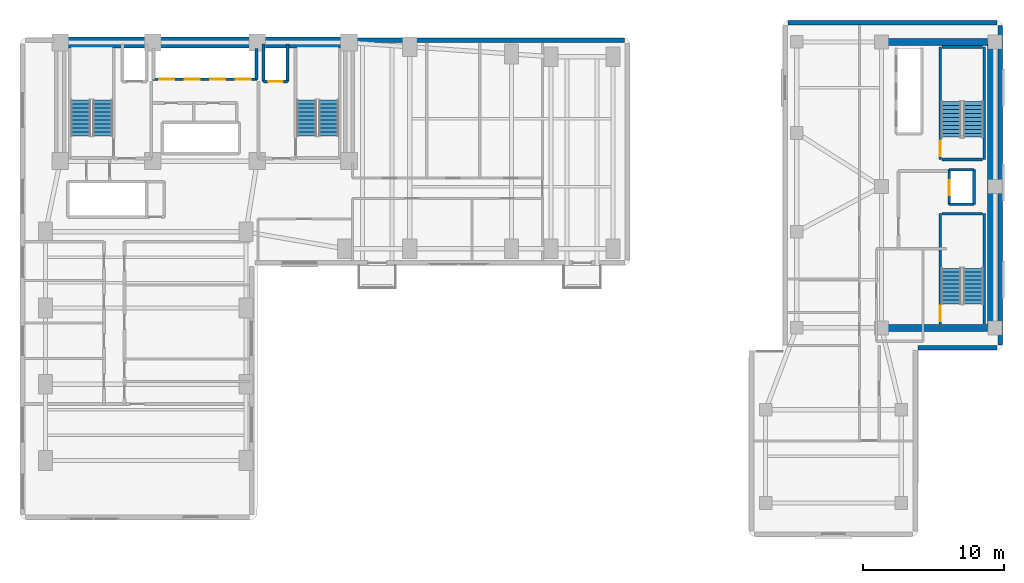
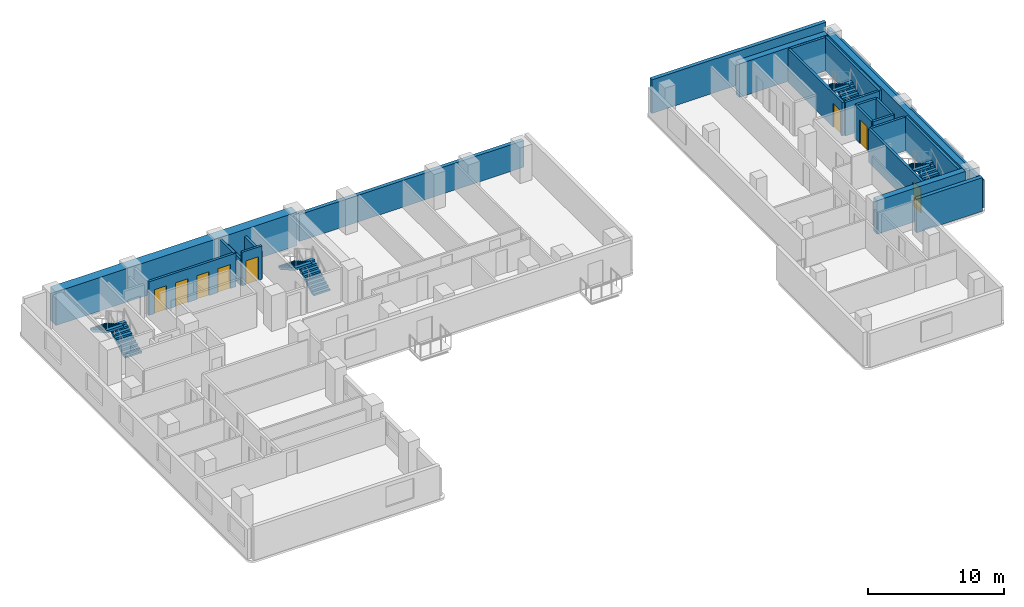
# One storey, part 11 of 14: 24 walls, 8 doors, 8 stair flights, 8 openings, 4 elements without a shape of their own.
"""IFC4 building model written with IfcOpenShell, lengths in metres."""

import ifcopenshell
import ifcopenshell.guid

model = None  # the IFC model being written
_history = None  # IfcOwnerHistory: only IFC2X3 demands one
_inside = {}  # id of a spatial element -> (the spatial element, [elements in it])
_under = {}  # id of a project, library or spatial element -> (it, [spatial elements below it])
_declared = {}  # id of a project -> (the project, [libraries it declares])
_typed = {}  # id of a type object -> (the type object, [elements of that type])
_made_of = {}  # id of a material, layer set ... -> (it, [elements and type objects made of it])


def new_model(schema):
    """Start an empty IFC model of exactly this schema.

    Asked for "IFC4X3", IfcOpenShell would pick the latest addendum, in which some entities
    have other attributes; the version numbers below select the first issue.
    IFC2X3 requires an IfcOwnerHistory on every rooted entity: one is made here for all.
    """
    global model, _history
    if schema == "IFC4X3":
        model = ifcopenshell.file(schema_version=(4, 3, 0, 0))
    else:
        model = ifcopenshell.file(schema=schema)
    _inside.clear()
    _under.clear()
    _declared.clear()
    _typed.clear()
    _made_of.clear()
    _history = None
    if model.schema == "IFC2X3":
        org = make("IfcOrganization", Name="unknown")
        user = make(
            "IfcPersonAndOrganization",
            ThePerson=make("IfcPerson", FamilyName="unknown"),
            TheOrganization=org,
        )
        app = make(
            "IfcApplication",
            ApplicationDeveloper=org,
            Version="unknown",
            ApplicationFullName="unknown",
            ApplicationIdentifier="unknown",
        )
        _history = make(
            "IfcOwnerHistory",
            OwningUser=user,
            OwningApplication=app,
            ChangeAction="ADDED",
            CreationDate=0,
        )
    return model


def make(cls, **values):
    """One entity of the class cls with the attributes given. An attribute that is None is left unset."""
    return model.create_entity(
        cls, **{name: value for name, value in values.items() if value is not None}
    )


def rooted(cls, **values):
    """An entity with a GlobalId (a new one), such as an element, a storey or a relation."""
    return make(cls, GlobalId=ifcopenshell.guid.new(), OwnerHistory=_history, **values)


def si_unit(unit_type, name, prefix=None):
    """IfcSIUnit, for example si_unit("LENGTHUNIT", "METRE", prefix="MILLI")."""
    return make("IfcSIUnit", UnitType=unit_type, Prefix=prefix, Name=name)


def assignment(units):
    """IfcUnitAssignment: the units of a project."""
    return None if units is None else make("IfcUnitAssignment", Units=units)


def point(xyz):
    """IfcCartesianPoint."""
    return None if xyz is None else make("IfcCartesianPoint", Coordinates=xyz)


def direction(xyz):
    """IfcDirection."""
    return None if xyz is None else make("IfcDirection", DirectionRatios=xyz)


def frame(location, z_axis=None, x_axis=None):
    """IfcAxis2Placement3D, a coordinate frame: its origin and axes. An axis left out is left unset."""
    return make(
        "IfcAxis2Placement3D",
        Location=point(location),
        Axis=direction(z_axis),
        RefDirection=direction(x_axis),
    )


def frame_2d(location, x_axis=None):
    """IfcAxis2Placement2D, a coordinate frame in the plane: its origin and x axis."""
    return make(
        "IfcAxis2Placement2D", Location=point(location), RefDirection=direction(x_axis)
    )


def origin():
    """The frame at (0, 0, 0) with its axes left unset."""
    return frame((0.0, 0.0, 0.0))


def place(relative_to, where):
    """IfcLocalPlacement: puts the frame where relative to a parent placement (None: the world)."""
    return make(
        "IfcLocalPlacement", PlacementRelTo=relative_to, RelativePlacement=where
    )


def context(
    kind, dimensions, precision=None, world=None, true_north=None, identifier=None
):
    """IfcGeometricRepresentationContext, for example the 3D "Model" context."""
    return make(
        "IfcGeometricRepresentationContext",
        ContextIdentifier=identifier,
        ContextType=kind,
        CoordinateSpaceDimension=dimensions,
        Precision=precision,
        WorldCoordinateSystem=world,
        TrueNorth=true_north,
    )


def subcontext(parent, identifier, kind, view, scale=None):
    """IfcGeometricRepresentationSubContext, for example "Body" below "Model"."""
    return make(
        "IfcGeometricRepresentationSubContext",
        ContextIdentifier=identifier,
        ContextType=kind,
        ParentContext=parent,
        TargetScale=scale,
        TargetView=view,
    )


def project(units=None, contexts=None):
    """IfcProject with its units and contexts."""
    return rooted(
        "IfcProject",
        Name="project",
        RepresentationContexts=contexts,
        UnitsInContext=assignment(units),
    )


def spatial(cls, under=None, at=None, **own):
    """A site, building, storey or space (cls), placed at a placement, below another one or the project."""
    s = rooted(cls, ObjectPlacement=at, **own)
    if under is not None:
        _under.setdefault(under.id(), (under, []))[1].append(s)
    return s


def polyline(points):
    """IfcPolyline through the points."""
    return make("IfcPolyline", Points=[point(p) for p in points])


def profile(cls, at=None, kind="AREA", **sizes):
    """A parametric profile (cls). Its sizes go by their IFC names, for example OverallWidth=200.0."""
    return make(cls, ProfileType=kind, Position=at, **sizes)


def rectangle(**sizes):
    """IfcRectangleProfileDef."""
    return profile("IfcRectangleProfileDef", **sizes)


def outline(outer, holes=None, kind="AREA"):
    """IfcArbitraryClosedProfileDef: a profile drawn as a closed curve; with holes, ...WithVoids."""
    if holes is None:
        return make("IfcArbitraryClosedProfileDef", ProfileType=kind, OuterCurve=outer)
    return make(
        "IfcArbitraryProfileDefWithVoids",
        ProfileType=kind,
        OuterCurve=outer,
        InnerCurves=holes,
    )


def extrude(swept, where, along, depth):
    """IfcExtrudedAreaSolid: the profile swept, set in the frame where, extruded along a direction by depth."""
    return make(
        "IfcExtrudedAreaSolid",
        SweptArea=swept,
        Position=where,
        ExtrudedDirection=direction(along),
        Depth=depth,
    )


def shape(context_of_items, identifier, shape_type, items):
    """IfcShapeRepresentation: the items that make up one representation, for example the "Body"."""
    return make(
        "IfcShapeRepresentation",
        ContextOfItems=context_of_items,
        RepresentationIdentifier=identifier,
        RepresentationType=shape_type,
        Items=items,
    )


def material(Name=None, Category=None):
    """IfcMaterial."""
    return make("IfcMaterial", Name=Name, Category=Category)


def layer(
    of_material, thickness, ventilated=None, Name=None, Category=None, Priority=None
):
    """IfcMaterialLayer: one layer of a wall or slab, of a material (None: an air gap)."""
    return make(
        "IfcMaterialLayer",
        Material=of_material,
        LayerThickness=thickness,
        IsVentilated=ventilated,
        Name=Name,
        Category=Category,
        Priority=Priority,
    )


def layer_set(layers, Name=None):
    """IfcMaterialLayerSet."""
    return make("IfcMaterialLayerSet", MaterialLayers=layers, LayerSetName=Name)


def made_of(thing, what):
    """Note that an element or type object is made of a material, layer set ...; save() writes the relation."""
    if what is not None:
        _made_of.setdefault(what.id(), (what, []))[1].append(thing)
    return thing


def type_object(cls, material=None, **own):
    """A type object (cls), such as IfcWallType, which elements share."""
    return made_of(rooted(cls, **own), material)


def element(
    cls,
    number,
    at=None,
    inside=None,
    cuts=None,
    type_object=None,
    material=None,
    context=None,
    identifier="Body",
    shape_type=None,
    held_by="IfcProductDefinitionShape",
    body=None,
    shapes=None,
    **own,
):
    """One element of the class cls, such as IfcWall. Its Tag is "e" and its number.

    at: its placement. inside: the storey or other place that contains it. cuts: it is an
    opening in that element (IfcRelVoidsElement). A single representation is given by context,
    identifier, shape_type and body (its items); several are given by shapes. held_by: the class
    of the entity that holds the representations. save() writes the other relations.
    """
    e = rooted(cls, Tag="e%d" % number, ObjectPlacement=at, **own)
    if body is not None:
        shapes = [shape(context, identifier, shape_type, body)]
    if shapes is not None:
        e.Representation = make(held_by, Representations=shapes)
    if inside is not None:
        _inside.setdefault(inside.id(), (inside, []))[1].append(e)
    if cuts is not None:
        rooted(
            "IfcRelVoidsElement", RelatingBuildingElement=cuts, RelatedOpeningElement=e
        )
    if type_object is not None:
        _typed.setdefault(type_object.id(), (type_object, []))[1].append(e)
    return made_of(e, material)


def fill(opening, filler):
    """IfcRelFillsElement: the door or window that sits in an opening."""
    return rooted(
        "IfcRelFillsElement",
        RelatingOpeningElement=opening,
        RelatedBuildingElement=filler,
    )


def aggregate(whole, parts):
    """IfcRelAggregates: a whole, such as a stair, and the parts it consists of."""
    return rooted("IfcRelAggregates", RelatingObject=whole, RelatedObjects=parts)


def save(model, path):
    """Write the relations noted so far, then the file.

    IfcRelAggregates (storeys below a building ...), IfcRelContainedInSpatialStructure (elements
    in a storey), IfcRelDefinesByType, IfcRelAssociatesMaterial and IfcRelDeclares: one each for
    every whole, place, type object, material and project.
    """
    for whole, parts in _under.values():
        aggregate(whole, parts)
    for where, things in _inside.values():
        rooted(
            "IfcRelContainedInSpatialStructure",
            RelatedElements=things,
            RelatingStructure=where,
        )
    for kind, things in _typed.values():
        rooted("IfcRelDefinesByType", RelatedObjects=things, RelatingType=kind)
    for what, things in _made_of.values():
        rooted("IfcRelAssociatesMaterial", RelatedObjects=things, RelatingMaterial=what)
    for by, libraries in _declared.values():
        rooted("IfcRelDeclares", RelatingContext=by, RelatedDefinitions=libraries)
    model.write(path)


model = new_model("IFC4")

# Units and contexts
model_context = context("Model", 3, precision=1e-05, world=origin(), true_north=direction((0.0, 1.0)))
body_context = subcontext(model_context, "Body", "Model", "MODEL_VIEW")
ifc_project = project(units=[si_unit("LENGTHUNIT", "METRE"), si_unit("AREAUNIT", "SQUARE_METRE"), si_unit("VOLUMEUNIT", "CUBIC_METRE"), si_unit("PLANEANGLEUNIT", "RADIAN"), si_unit("MASSUNIT", "GRAM", prefix="KILO")], contexts=[model_context])

# Site, building, storey
site_placement = place(None, origin())
site = spatial("IfcSite", under=ifc_project, at=site_placement, CompositionType="ELEMENT")
building_placement = place(site_placement, origin())
building = spatial("IfcBuilding", under=site, at=building_placement, Name="Kuzgunbayir Cultural Tower", CompositionType="ELEMENT")
storey_placement = place(building_placement, frame((0.0, 0.0, 62.800048828125)))
storey = spatial("IfcBuildingStorey", under=building, at=storey_placement, Name="L17", CompositionType="ELEMENT", Elevation=62.800048828125)

# Walls
ifc_material_1 = material(Name="Concrete C60/75", Category="concrete")
ifc_layer_1 = layer(ifc_material_1, 0.800048828125)
ifc_layer_set_1 = layer_set([ifc_layer_1], Name="Concrete C60/75")
wall_type_1 = type_object("IfcWallType", Name="WAL-CORE-800", PredefinedType="SHEAR", material=ifc_layer_set_1)
wall_1_placement = place(storey_placement, frame((6.449951171875, 42.199951171875, 0.0), z_axis=(0.0, 0.0, 1.0), x_axis=(1.0, 0.0, 0.0)))
element("IfcWall", 1, at=wall_1_placement, inside=storey, type_object=wall_type_1, Name="L17 T1 Core North Shear Wall", PredefinedType="SHEAR", context=body_context, shape_type="SweptSolid", body=[
    extrude(rectangle(XDim=20.449951171875, YDim=0.800048828125, at=frame_2d((10.22509765625, 0.0))), origin(), (0.0, 0.0, 1.0), 3.02001953125),
])
ifc_material_2 = material(Name="Travertine Buff Ashlar", Category="masonry")
ifc_layer_2 = layer(ifc_material_2, 0.320068359375)
ifc_layer_set_2 = layer_set([ifc_layer_2], Name="Travertine Buff Ashlar")
wall_type_2 = type_object("IfcWallType", Name="WAL-EXT-STONE-320", PredefinedType="STANDARD", material=ifc_layer_set_2)
wall_2_placement = place(storey_placement, frame((46.39990234375, 42.35009765625, 0.0), z_axis=(0.0, 0.0, 1.0), x_axis=(-1.0, 0.0, 0.0)))
element("IfcWall", 2, at=wall_2_placement, inside=storey, type_object=wall_type_2, Name="L17 North Wing B Limestone Wall", PredefinedType="STANDARD", context=body_context, shape_type="SweptSolid", body=[
    extrude(rectangle(XDim=19.0498046875, YDim=0.320068359375, at=frame_2d((9.52490234375, 0.0))), origin(), (0.0, 0.0, 1.0), 2.39990234375),
])
wall_3_placement = place(storey_placement, frame((73.0, 20.800048828125, 0.0), z_axis=(0.0, 0.0, 1.0), x_axis=(0.0, 1.0, 0.0)))
element("IfcWall", 3, at=wall_3_placement, inside=storey, type_object=wall_type_2, Name="L17 Companion East Limestone Wall", PredefinedType="STANDARD", context=body_context, shape_type="SweptSolid", body=[
    extrude(rectangle(XDim=22.599853515625, YDim=0.320068359375, at=frame_2d((11.2998046875, 0.0))), origin(), (0.0, 0.0, 1.0), 2.5),
])
wall_4_placement = place(storey_placement, frame((72.800048828125, 43.60009765625, 0.0), z_axis=(0.0, 0.0, 1.0), x_axis=(-1.0, 0.0, 0.0)))
element("IfcWall", 4, at=wall_4_placement, inside=storey, type_object=wall_type_2, Name="L17 Companion North Limestone Wall", PredefinedType="STANDARD", context=body_context, shape_type="SweptSolid", body=[
    extrude(rectangle(XDim=14.800048828125, YDim=0.320068359375, at=frame_2d((7.39990234375, 0.0))), origin(), (0.0, 0.0, 1.0), 3.02001953125),
])
wall_5_placement = place(storey_placement, frame((67.199951171875, 20.60009765625, 0.0), z_axis=(0.0, 0.0, 1.0), x_axis=(1.0, 0.0, 0.0)))
element("IfcWall", 5, at=wall_5_placement, inside=storey, type_object=wall_type_2, Name="L17 Companion South-East Link", PredefinedType="STANDARD", context=body_context, shape_type="SweptSolid", body=[
    extrude(rectangle(XDim=5.60009765625, YDim=0.320068359375, at=frame_2d((2.800048828125, 0.0))), origin(), (0.0, 0.0, 1.0), 3.02001953125),
])

# Wall, opening, door
ifc_material_3 = material(Name="Concrete C40/50", Category="concrete")
ifc_layer_3 = layer(ifc_material_3, 0.199951171875)
ifc_layer_set_3 = layer_set([ifc_layer_3], Name="Concrete C40/50")
wall_type_3 = type_object("IfcWallType", Name="WAL-SHAFT-200", PredefinedType="MOVABLE", material=ifc_layer_set_3)
wall_6_placement = place(storey_placement, frame((20.85009765625, 39.449951171875, 0.0), z_axis=(0.0, 0.0, 1.0), x_axis=(1.0, 0.0, 0.0)))
wall_6 = element("IfcWall", 6, at=wall_6_placement, inside=storey, type_object=wall_type_3, Name="L17 FFL-2 Lift Front Wall", PredefinedType="MOVABLE", context=body_context, shape_type="SweptSolid", body=[
    extrude(rectangle(XDim=1.699951171875, YDim=0.199951171875, at=frame_2d((0.85009765625, 0.0))), origin(), (0.0, 0.0, 1.0), 3.02001953125),
])
opening_1_placement = place(wall_6_placement, frame((0.320068359375, 0.0, 0.0)))
opening_1 = element("IfcOpeningElement", 7, at=opening_1_placement, cuts=wall_6, Name="Opening LD", PredefinedType="OPENING", context=body_context, shape_type="SweptSolid", body=[
    extrude(rectangle(XDim=1.050048828125, YDim=2.14990234375, at=frame_2d((0.52490234375, 1.074951171875))), frame((0.0, 0.10986328125, 0.0), z_axis=(0.0, -1.0, 0.0), x_axis=(1.0, 0.0, 0.0)), (0.0, 0.0, 1.0), 0.219970703125),
])
ifc_material_4 = material(Name="Brushed Stainless Steel", Category="steel")
door_type_1 = type_object("IfcDoorType", Name="DR-LIFT-LANDING", OperationType="SLIDING_TO_LEFT", PredefinedType="DOOR", material=ifc_material_4)
door_1_placement = place(opening_1_placement, origin())
door_1 = element("IfcDoor", 8, at=door_1_placement, inside=storey, type_object=door_type_1, Name="L17 Lift FFL-2 Landing Door", OperationType="SLIDING_TO_LEFT", OverallHeight=2.14990234375, OverallWidth=1.050048828125, PredefinedType="DOOR", context=body_context, shape_type="SweptSolid", body=[
    extrude(rectangle(XDim=1.050048828125, YDim=2.14990234375, at=frame_2d((0.52490234375, 1.074951171875))), frame((0.0, 0.02490234375, 0.0), z_axis=(0.0, -1.0, 0.0), x_axis=(1.0, 0.0, 0.0)), (0.0, 0.0, 1.0), 0.050048828125),
])
fill(opening_1, door_1)

# Walls
for number, where, z_axis, x_axis, name in (
    (9, (20.85009765625, 39.449951171875, 0.0), (0.0, 0.0, 1.0), (0.0, 1.0, 0.0), "L17 FFL-2 Shaft West Wall"),
    (10, (22.550048828125, 39.449951171875, 0.0), (0.0, 0.0, 1.0), (0.0, 1.0, 0.0), "L17 FFL-2 Shaft East Wall"),
):
    element("IfcWall", number, at=place(storey_placement, frame(where, z_axis=z_axis, x_axis=x_axis)), inside=storey, type_object=wall_type_3, Name=name, PredefinedType="MOVABLE", context=body_context, shape_type="SweptSolid", body=[
        extrude(rectangle(XDim=2.650146484375, YDim=0.199951171875, at=frame_2d((1.3251953125, 0.0))), origin(), (0.0, 0.0, 1.0), 2.39990234375),
    ])

# Wall, openings, doors
wall_7_placement = place(storey_placement, frame((13.0, 39.60009765625, 0.0), z_axis=(0.0, 0.0, 1.0), x_axis=(1.0, 0.0, 0.0)))
wall_7 = element("IfcWall", 11, at=wall_7_placement, inside=storey, type_object=wall_type_3, Name="L17 Low-Rise Lift Front Wall", PredefinedType="MOVABLE", context=body_context, shape_type="SweptSolid", body=[
    extrude(rectangle(XDim=7.39990234375, YDim=0.199951171875, at=frame_2d((3.699951171875, 0.0))), origin(), (0.0, 0.0, 1.0), 3.02001953125),
])
opening_2_placement = place(wall_7_placement, frame((0.469970703125, 0.0, 0.0)))
opening_2 = element("IfcOpeningElement", 12, at=opening_2_placement, cuts=wall_7, Name="Opening LD", PredefinedType="OPENING", context=body_context, shape_type="SweptSolid", body=[
    extrude(rectangle(XDim=1.050048828125, YDim=2.14990234375, at=frame_2d((0.52490234375, 1.074951171875))), frame((0.0, 0.10986328125, 0.0), z_axis=(0.0, -1.0, 0.0), x_axis=(1.0, 0.0, 0.0)), (0.0, 0.0, 1.0), 0.219970703125),
])
opening_3_placement = place(wall_7_placement, frame((2.280029296875, 0.0, 0.0)))
opening_3 = element("IfcOpeningElement", 13, at=opening_3_placement, cuts=wall_7, Name="Opening LD", PredefinedType="OPENING", context=body_context, shape_type="SweptSolid", body=[
    extrude(rectangle(XDim=1.050048828125, YDim=2.14990234375, at=frame_2d((0.52490234375, 1.074951171875))), frame((0.0, 0.10986328125, 0.0), z_axis=(0.0, -1.0, 0.0), x_axis=(1.0, 0.0, 0.0)), (0.0, 0.0, 1.0), 0.219970703125),
])
opening_4_placement = place(wall_7_placement, frame((4.080078125, 0.0, 0.0)))
opening_4 = element("IfcOpeningElement", 14, at=opening_4_placement, cuts=wall_7, Name="Opening LD", PredefinedType="OPENING", context=body_context, shape_type="SweptSolid", body=[
    extrude(rectangle(XDim=1.050048828125, YDim=2.14990234375, at=frame_2d((0.52490234375, 1.074951171875))), frame((0.0, 0.10986328125, 0.0), z_axis=(0.0, -1.0, 0.0), x_axis=(1.0, 0.0, 0.0)), (0.0, 0.0, 1.0), 0.219970703125),
])
opening_5_placement = place(wall_7_placement, frame((5.8798828125, 0.0, 0.0)))
opening_5 = element("IfcOpeningElement", 15, at=opening_5_placement, cuts=wall_7, Name="Opening LD", PredefinedType="OPENING", context=body_context, shape_type="SweptSolid", body=[
    extrude(rectangle(XDim=1.050048828125, YDim=2.14990234375, at=frame_2d((0.52490234375, 1.074951171875))), frame((0.0, 0.10986328125, 0.0), z_axis=(0.0, -1.0, 0.0), x_axis=(1.0, 0.0, 0.0)), (0.0, 0.0, 1.0), 0.219970703125),
])
door_2_placement = place(opening_2_placement, origin())
door_2 = element("IfcDoor", 16, at=door_2_placement, inside=storey, type_object=door_type_1, Name="L17 Lift PL-1 Landing Door", OperationType="SLIDING_TO_LEFT", OverallHeight=2.14990234375, OverallWidth=1.050048828125, PredefinedType="DOOR", context=body_context, shape_type="SweptSolid", body=[
    extrude(rectangle(XDim=1.050048828125, YDim=2.14990234375, at=frame_2d((0.52490234375, 1.074951171875))), frame((0.0, 0.02490234375, 0.0), z_axis=(0.0, -1.0, 0.0), x_axis=(1.0, 0.0, 0.0)), (0.0, 0.0, 1.0), 0.050048828125),
])
fill(opening_2, door_2)
door_3_placement = place(opening_3_placement, origin())
door_3 = element("IfcDoor", 17, at=door_3_placement, inside=storey, type_object=door_type_1, Name="L17 Lift PL-2 Landing Door", OperationType="SLIDING_TO_LEFT", OverallHeight=2.14990234375, OverallWidth=1.050048828125, PredefinedType="DOOR", context=body_context, shape_type="SweptSolid", body=[
    extrude(rectangle(XDim=1.050048828125, YDim=2.14990234375, at=frame_2d((0.52490234375, 1.074951171875))), frame((0.0, 0.02490234375, 0.0), z_axis=(0.0, -1.0, 0.0), x_axis=(1.0, 0.0, 0.0)), (0.0, 0.0, 1.0), 0.050048828125),
])
fill(opening_3, door_3)
door_4_placement = place(opening_4_placement, origin())
door_4 = element("IfcDoor", 18, at=door_4_placement, inside=storey, type_object=door_type_1, Name="L17 Lift PL-3 Landing Door", OperationType="SLIDING_TO_LEFT", OverallHeight=2.14990234375, OverallWidth=1.050048828125, PredefinedType="DOOR", context=body_context, shape_type="SweptSolid", body=[
    extrude(rectangle(XDim=1.050048828125, YDim=2.14990234375, at=frame_2d((0.52490234375, 1.074951171875))), frame((0.0, 0.02490234375, 0.0), z_axis=(0.0, -1.0, 0.0), x_axis=(1.0, 0.0, 0.0)), (0.0, 0.0, 1.0), 0.050048828125),
])
fill(opening_4, door_4)
door_5_placement = place(opening_5_placement, origin())
door_5 = element("IfcDoor", 19, at=door_5_placement, inside=storey, type_object=door_type_1, Name="L17 Lift PL-4 Landing Door", OperationType="SLIDING_TO_LEFT", OverallHeight=2.14990234375, OverallWidth=1.050048828125, PredefinedType="DOOR", context=body_context, shape_type="SweptSolid", body=[
    extrude(rectangle(XDim=1.050048828125, YDim=2.14990234375, at=frame_2d((0.52490234375, 1.074951171875))), frame((0.0, 0.02490234375, 0.0), z_axis=(0.0, -1.0, 0.0), x_axis=(1.0, 0.0, 0.0)), (0.0, 0.0, 1.0), 0.050048828125),
])
fill(opening_5, door_5)

# Wall
wall_8_placement = place(storey_placement, frame((20.35009765625, 39.60009765625, 0.0), z_axis=(0.0, 0.0, 1.0), x_axis=(0.0, 1.0, 0.0)))
element("IfcWall", 20, at=wall_8_placement, inside=storey, type_object=wall_type_3, Name="L17 Low-Rise Lift Shaft East Wall", PredefinedType="MOVABLE", context=body_context, shape_type="SweptSolid", body=[
    extrude(rectangle(XDim=2.179931640625, YDim=0.199951171875, at=frame_2d((1.08984375, 0.0))), origin(), (0.0, 0.0, 1.0), 3.02001953125),
])

# Wall, opening, door
wall_9_placement = place(storey_placement, frame((69.39990234375, 30.75, 0.0), z_axis=(0.0, 0.0, 1.0), x_axis=(0.0, 1.0, 0.0)))
wall_9 = element("IfcWall", 21, at=wall_9_placement, inside=storey, type_object=wall_type_3, Name="L17 FFL-3 Lift Front Wall", PredefinedType="MOVABLE", context=body_context, shape_type="SweptSolid", body=[
    extrude(rectangle(XDim=2.449951171875, YDim=0.199951171875, at=frame_2d((1.22509765625, 0.0))), origin(), (0.0, 0.0, 1.0), 3.02001953125),
])
opening_6_placement = place(wall_9_placement, frame((0.64990234375, 0.0, 0.0)))
opening_6 = element("IfcOpeningElement", 22, at=opening_6_placement, cuts=wall_9, Name="Opening LD", PredefinedType="OPENING", context=body_context, shape_type="SweptSolid", body=[
    extrude(rectangle(XDim=1.050048828125, YDim=2.14990234375, at=frame_2d((0.52490234375, 1.074951171875))), frame((0.0, 0.10986328125, 0.0), z_axis=(0.0, -1.0, 0.0), x_axis=(1.0, 0.0, 0.0)), (0.0, 0.0, 1.0), 0.219970703125),
])
door_6_placement = place(opening_6_placement, origin())
door_6 = element("IfcDoor", 23, at=door_6_placement, inside=storey, type_object=door_type_1, Name="L17 Lift FFL-3 Landing Door", OperationType="SLIDING_TO_LEFT", OverallHeight=2.14990234375, OverallWidth=1.050048828125, PredefinedType="DOOR", context=body_context, shape_type="SweptSolid", body=[
    extrude(rectangle(XDim=1.050048828125, YDim=2.14990234375, at=frame_2d((0.52490234375, 1.074951171875))), frame((0.0, 0.02490234375, 0.0), z_axis=(0.0, -1.0, 0.0), x_axis=(1.0, 0.0, 0.0)), (0.0, 0.0, 1.0), 0.050048828125),
])
fill(opening_6, door_6)

# Walls
wall_10_placement = place(storey_placement, frame((71.14990234375, 30.75, 0.0), z_axis=(0.0, 0.0, 1.0), x_axis=(0.0, 1.0, 0.0)))
element("IfcWall", 24, at=wall_10_placement, inside=storey, type_object=wall_type_3, Name="L17 FFL-3 Shaft Back Wall", PredefinedType="MOVABLE", context=body_context, shape_type="SweptSolid", body=[
    extrude(rectangle(XDim=2.449951171875, YDim=0.199951171875, at=frame_2d((1.22509765625, 0.0))), origin(), (0.0, 0.0, 1.0), 3.02001953125),
])
for number, where, z_axis, x_axis, name in (
    (25, (69.39990234375, 33.199951171875, 0.0), (0.0, 0.0, 1.0), (1.0, 0.0, 0.0), "L17 FFL-3 Shaft North Wall"),
    (26, (69.39990234375, 30.75, 0.0), (0.0, 0.0, 1.0), (1.0, 0.0, 0.0), "L17 FFL-3 Shaft South Wall"),
):
    element("IfcWall", number, at=place(storey_placement, frame(where, z_axis=z_axis, x_axis=x_axis)), inside=storey, type_object=wall_type_3, Name=name, PredefinedType="MOVABLE", context=body_context, shape_type="SweptSolid", body=[
        extrude(rectangle(XDim=1.75, YDim=0.199951171875, at=frame_2d((0.875, 0.0))), origin(), (0.0, 0.0, 1.0), 3.02001953125),
    ])

# Wall, opening, door
ifc_layer_4 = layer(ifc_material_3, 0.199951171875)
ifc_layer_set_4 = layer_set([ifc_layer_4], Name="Concrete C40/50")
wall_type_4 = type_object("IfcWallType", Name="WAL-STAIR-RC-200", PredefinedType="SHEAR", material=ifc_layer_set_4)
wall_11_placement = place(storey_placement, frame((68.760009765625, 22.260009765625, 0.0), z_axis=(0.0, 0.0, 1.0), x_axis=(0.0, 1.0, 0.0)))
wall_11 = element("IfcWall", 27, at=wall_11_placement, inside=storey, type_object=wall_type_4, Name="L17 Stair ST-3 West Structural Wall", PredefinedType="SHEAR", context=body_context, shape_type="SweptSolid", body=[
    extrude(rectangle(XDim=7.820068359375, YDim=0.199951171875, at=frame_2d((3.91015625, 0.0))), origin(), (0.0, 0.0, 1.0), 3.02001953125),
])
opening_7_placement = place(wall_11_placement, frame((0.219970703125, 0.0, 0.0)))
opening_7 = element("IfcOpeningElement", 28, at=opening_7_placement, cuts=wall_11, Name="Opening DR-STAIR-90", PredefinedType="OPENING", context=body_context, shape_type="SweptSolid", body=[
    extrude(rectangle(XDim=1.10009765625, YDim=2.14990234375, at=frame_2d((0.550048828125, 1.074951171875))), frame((0.0, 0.10986328125, 0.0), z_axis=(0.0, -1.0, 0.0), x_axis=(1.0, 0.0, 0.0)), (0.0, 0.0, 1.0), 0.219970703125),
])
ifc_material_5 = material(Name="Steel S355J2", Category="steel")
door_type_2 = type_object("IfcDoorType", Name="DR-STAIR-90", OperationType="NOTDEFINED", PredefinedType="DOOR", material=ifc_material_5)
door_7_placement = place(opening_7_placement, origin())
door_7 = element("IfcDoor", 29, at=door_7_placement, inside=storey, type_object=door_type_2, Name="L17 Stair ST-3 Fire Door", OperationType="SINGLE_SWING_LEFT", OverallHeight=2.14990234375, OverallWidth=1.10009765625, PredefinedType="DOOR", context=body_context, shape_type="SweptSolid", body=[
    extrude(rectangle(XDim=1.10009765625, YDim=2.14990234375, at=frame_2d((0.550048828125, 1.074951171875))), frame((0.0, 0.02490234375, 0.0), z_axis=(0.0, -1.0, 0.0), x_axis=(1.0, 0.0, 0.0)), (0.0, 0.0, 1.0), 0.050048828125),
])
fill(opening_7, door_7)

# Walls
wall_12_placement = place(storey_placement, frame((71.8798828125, 22.260009765625, 0.0), z_axis=(0.0, 0.0, 1.0), x_axis=(0.0, 1.0, 0.0)))
element("IfcWall", 30, at=wall_12_placement, inside=storey, type_object=wall_type_4, Name="L17 Stair ST-3 East Structural Wall", PredefinedType="SHEAR", context=body_context, shape_type="SweptSolid", body=[
    extrude(rectangle(XDim=7.820068359375, YDim=0.199951171875, at=frame_2d((3.91015625, 0.0))), origin(), (0.0, 0.0, 1.0), 3.02001953125),
])
wall_13_placement = place(storey_placement, frame((68.8798828125, 30.080078125, 0.0), z_axis=(0.0, 0.0, 1.0), x_axis=(1.0, 0.0, 0.0)))
element("IfcWall", 31, at=wall_13_placement, inside=storey, type_object=wall_type_4, Name="L17 Stair ST-3 North Structural Wall", PredefinedType="SHEAR", context=body_context, shape_type="SweptSolid", body=[
    extrude(rectangle(XDim=2.880126953125, YDim=0.199951171875, at=frame_2d((1.43994140625, 0.0))), origin(), (0.0, 0.0, 1.0), 3.02001953125),
])

# Wall, opening, door
wall_14_placement = place(storey_placement, frame((68.760009765625, 33.919921875, 0.0), z_axis=(0.0, 0.0, 1.0), x_axis=(0.0, 1.0, 0.0)))
wall_14 = element("IfcWall", 32, at=wall_14_placement, inside=storey, type_object=wall_type_4, Name="L17 Stair ST-4 West Structural Wall", PredefinedType="SHEAR", context=body_context, shape_type="SweptSolid", body=[
    extrude(rectangle(XDim=7.9599609375, YDim=0.199951171875, at=frame_2d((3.97998046875, 0.0))), origin(), (0.0, 0.0, 1.0), 3.02001953125),
])
opening_8_placement = place(wall_14_placement, frame((0.219970703125, 0.0, 0.0)))
opening_8 = element("IfcOpeningElement", 33, at=opening_8_placement, cuts=wall_14, Name="Opening DR-STAIR-90", PredefinedType="OPENING", context=body_context, shape_type="SweptSolid", body=[
    extrude(rectangle(XDim=1.10009765625, YDim=2.14990234375, at=frame_2d((0.550048828125, 1.074951171875))), frame((0.0, 0.10986328125, 0.0), z_axis=(0.0, -1.0, 0.0), x_axis=(1.0, 0.0, 0.0)), (0.0, 0.0, 1.0), 0.219970703125),
])
door_8_placement = place(opening_8_placement, origin())
door_8 = element("IfcDoor", 34, at=door_8_placement, inside=storey, type_object=door_type_2, Name="L17 Stair ST-4 Fire Door", OperationType="SINGLE_SWING_RIGHT", OverallHeight=2.14990234375, OverallWidth=1.10009765625, PredefinedType="DOOR", context=body_context, shape_type="SweptSolid", body=[
    extrude(rectangle(XDim=1.10009765625, YDim=2.14990234375, at=frame_2d((0.550048828125, 1.074951171875))), frame((0.0, 0.02490234375, 0.0), z_axis=(0.0, -1.0, 0.0), x_axis=(1.0, 0.0, 0.0)), (0.0, 0.0, 1.0), 0.050048828125),
])
fill(opening_8, door_8)

# Walls
wall_15_placement = place(storey_placement, frame((71.8798828125, 33.919921875, 0.0), z_axis=(0.0, 0.0, 1.0), x_axis=(0.0, 1.0, 0.0)))
element("IfcWall", 35, at=wall_15_placement, inside=storey, type_object=wall_type_4, Name="L17 Stair ST-4 East Structural Wall", PredefinedType="SHEAR", context=body_context, shape_type="SweptSolid", body=[
    extrude(rectangle(XDim=7.9599609375, YDim=0.199951171875, at=frame_2d((3.97998046875, 0.0))), origin(), (0.0, 0.0, 1.0), 3.02001953125),
])
for number, where, z_axis, x_axis, name in (
    (36, (68.8798828125, 41.8798828125, 0.0), (0.0, 0.0, 1.0), (1.0, 0.0, 0.0), "L17 Stair ST-4 North Structural Wall"),
    (37, (68.8798828125, 33.919921875, 0.0), (0.0, 0.0, 1.0), (1.0, 0.0, 0.0), "L17 Stair ST-4 South Structural Wall"),
):
    element("IfcWall", number, at=place(storey_placement, frame(where, z_axis=z_axis, x_axis=x_axis)), inside=storey, type_object=wall_type_4, Name=name, PredefinedType="SHEAR", context=body_context, shape_type="SweptSolid", body=[
        extrude(rectangle(XDim=2.880126953125, YDim=0.199951171875, at=frame_2d((1.43994140625, 0.0))), origin(), (0.0, 0.0, 1.0), 3.02001953125),
    ])
ifc_layer_5 = layer(ifc_material_1, 0.5)
ifc_layer_set_5 = layer_set([ifc_layer_5], Name="Concrete C60/75")
wall_type_5 = type_object("IfcWallType", Name="WAL-T2-CORE-500", PredefinedType="SHEAR", material=ifc_layer_set_5)
wall_16_placement = place(storey_placement, frame((72.35009765625, 22.0, 0.0), z_axis=(0.0, 0.0, 1.0), x_axis=(0.0, 1.0, 0.0)))
element("IfcWall", 38, at=wall_16_placement, inside=storey, type_object=wall_type_5, Name="L17 Companion Core East Shear Wall", PredefinedType="SHEAR", context=body_context, shape_type="SweptSolid", body=[
    extrude(rectangle(XDim=20.25, YDim=0.5, at=frame_2d((10.125, 0.0))), origin(), (0.0, 0.0, 1.0), 3.02001953125),
])
for number, where, z_axis, x_axis, name in (
    (39, (64.60009765625, 42.25, 0.0), (0.0, 0.0, 1.0), (1.0, 0.0, 0.0), "L17 Companion Core North Shear Wall"),
    (40, (64.60009765625, 22.0, 0.0), (0.0, 0.0, 1.0), (1.0, 0.0, 0.0), "L17 Companion Core South Shear Wall"),
):
    element("IfcWall", number, at=place(storey_placement, frame(where, z_axis=z_axis, x_axis=x_axis)), inside=storey, type_object=wall_type_5, Name=name, PredefinedType="SHEAR", context=body_context, shape_type="SweptSolid", body=[
        extrude(rectangle(XDim=7.5, YDim=0.5, at=frame_2d((3.75, 0.0))), origin(), (0.0, 0.0, 1.0), 3.02001953125),
    ])

# Stair, stair flights
stair_type = type_object("IfcStairType", Name="STR-EXIT-CORE", PredefinedType="HALF_TURN_STAIR", material=ifc_material_3)
stair_1_placement = place(storey_placement, origin())
stair_1 = element("IfcStair", 41, at=stair_1_placement, inside=storey, type_object=stair_type, Name="L17 ST-1", PredefinedType="HALF_TURN_STAIR")
stair_flight_type = type_object("IfcStairFlightType", Name="STRF-RC-140", PredefinedType="STRAIGHT", material=ifc_material_3)
stair_flight_1_placement = place(storey_placement, frame((9.4599609375, 35.60009765625, 0.0), z_axis=(0.0, 0.0, 1.0), x_axis=(0.0, 1.0, 0.0)))
stair_flight_1 = element("IfcStairFlight", 42, at=stair_flight_1_placement, type_object=stair_flight_type, Name="ST-1 flight 1", NumberOfRisers=10, NumberOfTreads=9, PredefinedType="STRAIGHT", RiserHeight=0.16, TreadLength=0.28, context=body_context, shape_type="SweptSolid", body=[
    extrude(outline(polyline([(0.0, 0.0), (0.0, 0.159912109375), (0.280029296875, 0.159912109375), (0.280029296875, 0.320068359375), (0.56005859375, 0.320068359375), (0.56005859375, 0.47998046875), (0.840087890625, 0.47998046875), (0.840087890625, 0.639892578125), (1.1201171875, 0.639892578125), (1.1201171875, 0.800048828125), (1.39990234375, 0.800048828125), (1.39990234375, 0.9599609375), (1.679931640625, 0.9599609375), (1.679931640625, 1.1201171875), (1.9599609375, 1.1201171875), (1.9599609375, 1.280029296875), (2.239990234375, 1.280029296875), (2.239990234375, 1.43994140625), (2.52001953125, 1.43994140625), (2.52001953125, 1.60009765625), (2.52001953125, 1.232666015625), (0.362548828125, 0.0), (0.0, 0.0)])), frame((0.0, 0.699951171875, 0.0), z_axis=(0.0, -1.0, 0.0), x_axis=(1.0, 0.0, 0.0)), (0.0, 0.0, 1.0), 1.39990234375),
])
stair_flight_2_placement = place(storey_placement, frame((7.89990234375, 38.1201171875, 1.599853515625), z_axis=(0.0, 0.0, 1.0), x_axis=(0.0, -1.0, 0.0)))
stair_flight_2 = element("IfcStairFlight", 43, at=stair_flight_2_placement, type_object=stair_flight_type, Name="ST-1 flight 2", NumberOfRisers=10, NumberOfTreads=9, PredefinedType="STRAIGHT", RiserHeight=0.16, TreadLength=0.28, context=body_context, shape_type="SweptSolid", body=[
    extrude(outline(polyline([(0.0, 0.0), (0.0, 0.159912109375), (0.280029296875, 0.159912109375), (0.280029296875, 0.320068359375), (0.56005859375, 0.320068359375), (0.56005859375, 0.47998046875), (0.840087890625, 0.47998046875), (0.840087890625, 0.639892578125), (1.1201171875, 0.639892578125), (1.1201171875, 0.800048828125), (1.39990234375, 0.800048828125), (1.39990234375, 0.9599609375), (1.679931640625, 0.9599609375), (1.679931640625, 1.1201171875), (1.9599609375, 1.1201171875), (1.9599609375, 1.280029296875), (2.239990234375, 1.280029296875), (2.239990234375, 1.43994140625), (2.52001953125, 1.43994140625), (2.52001953125, 1.60009765625), (2.52001953125, 1.232666015625), (0.362548828125, 0.0), (0.0, 0.0)])), frame((0.0, 0.699951171875, 0.0), z_axis=(0.0, -1.0, 0.0), x_axis=(1.0, 0.0, 0.0)), (0.0, 0.0, 1.0), 1.39990234375),
])
aggregate(stair_1, [stair_flight_1, stair_flight_2])

stair_2_placement = place(storey_placement, origin())
stair_2 = element("IfcStair", 44, at=stair_2_placement, inside=storey, type_object=stair_type, Name="L17 ST-2", PredefinedType="HALF_TURN_STAIR")
stair_flight_3_placement = place(storey_placement, frame((25.4599609375, 35.60009765625, 0.0), z_axis=(0.0, 0.0, 1.0), x_axis=(0.0, 1.0, 0.0)))
stair_flight_3 = element("IfcStairFlight", 45, at=stair_flight_3_placement, type_object=stair_flight_type, Name="ST-2 flight 1", NumberOfRisers=10, NumberOfTreads=9, PredefinedType="STRAIGHT", RiserHeight=0.16, TreadLength=0.28, context=body_context, shape_type="SweptSolid", body=[
    extrude(outline(polyline([(0.0, 0.0), (0.0, 0.159912109375), (0.280029296875, 0.159912109375), (0.280029296875, 0.320068359375), (0.56005859375, 0.320068359375), (0.56005859375, 0.47998046875), (0.840087890625, 0.47998046875), (0.840087890625, 0.639892578125), (1.1201171875, 0.639892578125), (1.1201171875, 0.800048828125), (1.39990234375, 0.800048828125), (1.39990234375, 0.9599609375), (1.679931640625, 0.9599609375), (1.679931640625, 1.1201171875), (1.9599609375, 1.1201171875), (1.9599609375, 1.280029296875), (2.239990234375, 1.280029296875), (2.239990234375, 1.43994140625), (2.52001953125, 1.43994140625), (2.52001953125, 1.60009765625), (2.52001953125, 1.232666015625), (0.362548828125, 0.0), (0.0, 0.0)])), frame((0.0, 0.699951171875, 0.0), z_axis=(0.0, -1.0, 0.0), x_axis=(1.0, 0.0, 0.0)), (0.0, 0.0, 1.0), 1.39990234375),
])
stair_flight_4_placement = place(storey_placement, frame((23.89990234375, 38.1201171875, 1.599853515625), z_axis=(0.0, 0.0, 1.0), x_axis=(0.0, -1.0, 0.0)))
stair_flight_4 = element("IfcStairFlight", 46, at=stair_flight_4_placement, type_object=stair_flight_type, Name="ST-2 flight 2", NumberOfRisers=10, NumberOfTreads=9, PredefinedType="STRAIGHT", RiserHeight=0.16, TreadLength=0.28, context=body_context, shape_type="SweptSolid", body=[
    extrude(outline(polyline([(0.0, 0.0), (0.0, 0.159912109375), (0.280029296875, 0.159912109375), (0.280029296875, 0.320068359375), (0.56005859375, 0.320068359375), (0.56005859375, 0.47998046875), (0.840087890625, 0.47998046875), (0.840087890625, 0.639892578125), (1.1201171875, 0.639892578125), (1.1201171875, 0.800048828125), (1.39990234375, 0.800048828125), (1.39990234375, 0.9599609375), (1.679931640625, 0.9599609375), (1.679931640625, 1.1201171875), (1.9599609375, 1.1201171875), (1.9599609375, 1.280029296875), (2.239990234375, 1.280029296875), (2.239990234375, 1.43994140625), (2.52001953125, 1.43994140625), (2.52001953125, 1.60009765625), (2.52001953125, 1.232666015625), (0.362548828125, 0.0), (0.0, 0.0)])), frame((0.0, 0.699951171875, 0.0), z_axis=(0.0, -1.0, 0.0), x_axis=(1.0, 0.0, 0.0)), (0.0, 0.0, 1.0), 1.39990234375),
])
aggregate(stair_2, [stair_flight_3, stair_flight_4])

stair_3_placement = place(storey_placement, origin())
stair_3 = element("IfcStair", 47, at=stair_3_placement, inside=storey, type_object=stair_type, Name="L17 ST-3", PredefinedType="HALF_TURN_STAIR")
stair_flight_5_placement = place(storey_placement, frame((71.10009765625, 23.699951171875, 0.0), z_axis=(0.0, 0.0, 1.0), x_axis=(0.0, 1.0, 0.0)))
stair_flight_5 = element("IfcStairFlight", 48, at=stair_flight_5_placement, type_object=stair_flight_type, Name="ST-3 flight 1", NumberOfRisers=10, NumberOfTreads=9, PredefinedType="STRAIGHT", RiserHeight=0.16, TreadLength=0.28, context=body_context, shape_type="SweptSolid", body=[
    extrude(outline(polyline([(0.0, 0.0), (0.0, 0.159912109375), (0.280029296875, 0.159912109375), (0.280029296875, 0.320068359375), (0.56005859375, 0.320068359375), (0.56005859375, 0.47998046875), (0.840087890625, 0.47998046875), (0.840087890625, 0.639892578125), (1.1201171875, 0.639892578125), (1.1201171875, 0.800048828125), (1.39990234375, 0.800048828125), (1.39990234375, 0.9599609375), (1.679931640625, 0.9599609375), (1.679931640625, 1.1201171875), (1.9599609375, 1.1201171875), (1.9599609375, 1.280029296875), (2.239990234375, 1.280029296875), (2.239990234375, 1.43994140625), (2.52001953125, 1.43994140625), (2.52001953125, 1.60009765625), (2.52001953125, 1.232666015625), (0.362548828125, 0.0), (0.0, 0.0)])), frame((0.0, 0.699951171875, 0.0), z_axis=(0.0, -1.0, 0.0), x_axis=(1.0, 0.0, 0.0)), (0.0, 0.0, 1.0), 1.39990234375),
])
stair_flight_6_placement = place(storey_placement, frame((69.5400390625, 26.219970703125, 1.599853515625), z_axis=(0.0, 0.0, 1.0), x_axis=(0.0, -1.0, 0.0)))
stair_flight_6 = element("IfcStairFlight", 49, at=stair_flight_6_placement, type_object=stair_flight_type, Name="ST-3 flight 2", NumberOfRisers=10, NumberOfTreads=9, PredefinedType="STRAIGHT", RiserHeight=0.16, TreadLength=0.28, context=body_context, shape_type="SweptSolid", body=[
    extrude(outline(polyline([(0.0, 0.0), (0.0, 0.159912109375), (0.280029296875, 0.159912109375), (0.280029296875, 0.320068359375), (0.56005859375, 0.320068359375), (0.56005859375, 0.47998046875), (0.840087890625, 0.47998046875), (0.840087890625, 0.639892578125), (1.1201171875, 0.639892578125), (1.1201171875, 0.800048828125), (1.39990234375, 0.800048828125), (1.39990234375, 0.9599609375), (1.679931640625, 0.9599609375), (1.679931640625, 1.1201171875), (1.9599609375, 1.1201171875), (1.9599609375, 1.280029296875), (2.239990234375, 1.280029296875), (2.239990234375, 1.43994140625), (2.52001953125, 1.43994140625), (2.52001953125, 1.60009765625), (2.52001953125, 1.232666015625), (0.362548828125, 0.0), (0.0, 0.0)])), frame((0.0, 0.699951171875, 0.0), z_axis=(0.0, -1.0, 0.0), x_axis=(1.0, 0.0, 0.0)), (0.0, 0.0, 1.0), 1.39990234375),
])
aggregate(stair_3, [stair_flight_5, stair_flight_6])

stair_4_placement = place(storey_placement, origin())
stair_4 = element("IfcStair", 50, at=stair_4_placement, inside=storey, type_object=stair_type, Name="L17 ST-4", PredefinedType="HALF_TURN_STAIR")
stair_flight_7_placement = place(storey_placement, frame((71.10009765625, 35.5, 0.0), z_axis=(0.0, 0.0, 1.0), x_axis=(0.0, 1.0, 0.0)))
stair_flight_7 = element("IfcStairFlight", 51, at=stair_flight_7_placement, type_object=stair_flight_type, Name="ST-4 flight 1", NumberOfRisers=10, NumberOfTreads=9, PredefinedType="STRAIGHT", RiserHeight=0.16, TreadLength=0.28, context=body_context, shape_type="SweptSolid", body=[
    extrude(outline(polyline([(0.0, 0.0), (0.0, 0.159912109375), (0.280029296875, 0.159912109375), (0.280029296875, 0.320068359375), (0.56005859375, 0.320068359375), (0.56005859375, 0.47998046875), (0.840087890625, 0.47998046875), (0.840087890625, 0.639892578125), (1.1201171875, 0.639892578125), (1.1201171875, 0.800048828125), (1.39990234375, 0.800048828125), (1.39990234375, 0.9599609375), (1.679931640625, 0.9599609375), (1.679931640625, 1.1201171875), (1.9599609375, 1.1201171875), (1.9599609375, 1.280029296875), (2.239990234375, 1.280029296875), (2.239990234375, 1.43994140625), (2.52001953125, 1.43994140625), (2.52001953125, 1.60009765625), (2.52001953125, 1.232666015625), (0.362548828125, 0.0), (0.0, 0.0)])), frame((0.0, 0.699951171875, 0.0), z_axis=(0.0, -1.0, 0.0), x_axis=(1.0, 0.0, 0.0)), (0.0, 0.0, 1.0), 1.39990234375),
])
stair_flight_8_placement = place(storey_placement, frame((69.5400390625, 38.02001953125, 1.599853515625), z_axis=(0.0, 0.0, 1.0), x_axis=(0.0, -1.0, 0.0)))
stair_flight_8 = element("IfcStairFlight", 52, at=stair_flight_8_placement, type_object=stair_flight_type, Name="ST-4 flight 2", NumberOfRisers=10, NumberOfTreads=9, PredefinedType="STRAIGHT", RiserHeight=0.16, TreadLength=0.28, context=body_context, shape_type="SweptSolid", body=[
    extrude(outline(polyline([(0.0, 0.0), (0.0, 0.159912109375), (0.280029296875, 0.159912109375), (0.280029296875, 0.320068359375), (0.56005859375, 0.320068359375), (0.56005859375, 0.47998046875), (0.840087890625, 0.47998046875), (0.840087890625, 0.639892578125), (1.1201171875, 0.639892578125), (1.1201171875, 0.800048828125), (1.39990234375, 0.800048828125), (1.39990234375, 0.9599609375), (1.679931640625, 0.9599609375), (1.679931640625, 1.1201171875), (1.9599609375, 1.1201171875), (1.9599609375, 1.280029296875), (2.239990234375, 1.280029296875), (2.239990234375, 1.43994140625), (2.52001953125, 1.43994140625), (2.52001953125, 1.60009765625), (2.52001953125, 1.232666015625), (0.362548828125, 0.0), (0.0, 0.0)])), frame((0.0, 0.699951171875, 0.0), z_axis=(0.0, -1.0, 0.0), x_axis=(1.0, 0.0, 0.0)), (0.0, 0.0, 1.0), 1.39990234375),
])
aggregate(stair_4, [stair_flight_7, stair_flight_8])

save(model, "model.ifc")
